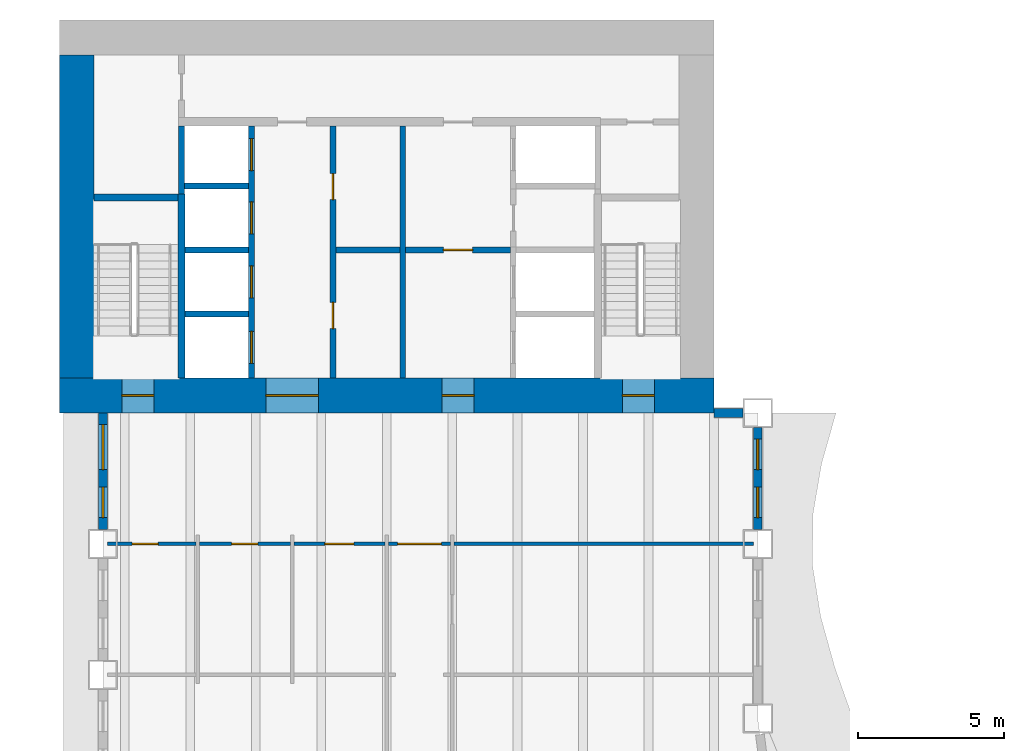
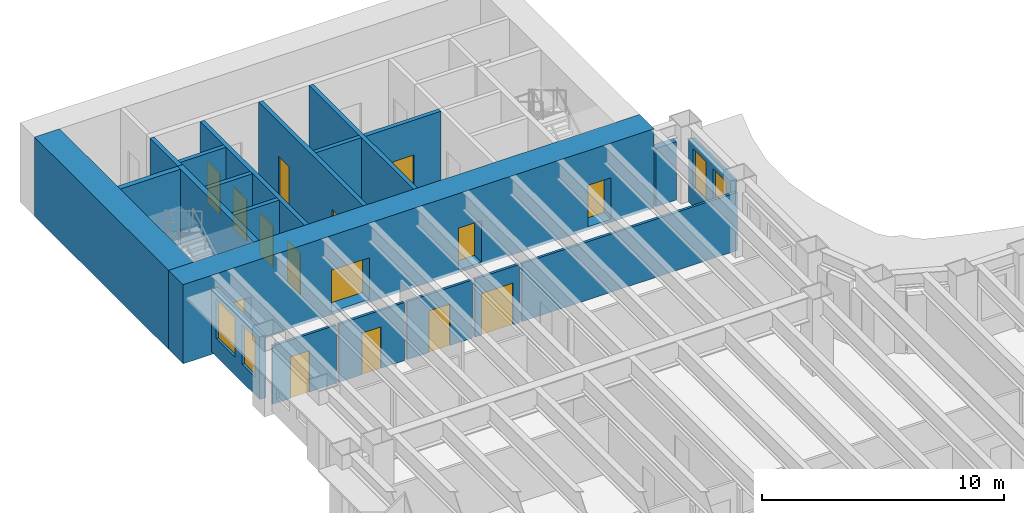
# One storey, part 8 of 16: 21 walls, 15 doors, 4 windows, 19 openings.
"""IFC4 building model written with IfcOpenShell, lengths in metres."""

from ifc_helpers import new_model, si_unit, direction, frame, frame_2d, origin, place, context, subcontext, project, spatial, rectangle, extrude, material, layer, layer_set, type_object, element, fill, save


model = new_model("IFC4")

# Units and contexts
model_context = context("Model", 3, precision=1e-05, world=origin(), true_north=direction((0.0, 1.0)))
body_context = subcontext(model_context, "Body", "Model", "MODEL_VIEW")
ifc_project = project(units=[si_unit("LENGTHUNIT", "METRE"), si_unit("AREAUNIT", "SQUARE_METRE"), si_unit("VOLUMEUNIT", "CUBIC_METRE"), si_unit("PLANEANGLEUNIT", "RADIAN"), si_unit("MASSUNIT", "GRAM", prefix="KILO")], contexts=[model_context])

# Site, building, storey
site_placement = place(None, origin())
site = spatial("IfcSite", under=ifc_project, at=site_placement, CompositionType="ELEMENT")
building_placement = place(site_placement, origin())
building = spatial("IfcBuilding", under=site, at=building_placement, Name="Sennacour Bend Tower", CompositionType="ELEMENT")
storey_placement = place(building_placement, frame((0.0, 0.0, 87.0)))
storey = spatial("IfcBuildingStorey", under=building, at=storey_placement, Name="L19", CompositionType="ELEMENT", Elevation=87.0)

# Wall, openings, doors
ifc_material_1 = material(Name="Concrete C80/95", Category="concrete")
ifc_layer_1 = layer(ifc_material_1, 1.199951171875, Name="Concrete C80/95", Category="concrete")
ifc_layer_set_1 = layer_set([ifc_layer_1], Name="Concrete C80/95")
wall_type_1 = type_object("IfcWallType", Name="Core wall 1200 C80/95", PredefinedType="SHEAR", material=ifc_layer_set_1)
wall_1_placement = place(storey_placement, frame((0.0, 36.60009765625, -0.14990234375), z_axis=(0.0, 0.0, 1.0), x_axis=(1.0, 0.0, 0.0)))
wall_1 = element("IfcWall", 1, at=wall_1_placement, inside=storey, type_object=wall_type_1, Name="Core B wall L19 S", PredefinedType="SHEAR", context=body_context, shape_type="SweptSolid", body=[
    extrude(rectangle(XDim=22.5, YDim=1.199951171875, at=frame_2d((11.25, 0.0))), origin(), (0.0, 0.0, 1.0), 4.0),
])
opening_1_placement = place(wall_1_placement, frame((7.10009765625, 0.0, 0.14990234375)))
opening_1 = element("IfcOpeningElement", 2, at=opening_1_placement, cuts=wall_1, Name="Opening CD", PredefinedType="OPENING", context=body_context, shape_type="SweptSolid", body=[
    extrude(rectangle(XDim=1.800048828125, YDim=2.10009765625, at=frame_2d((0.89990234375, 1.050048828125))), frame((0.0, 0.60986328125, 0.0), z_axis=(0.0, -1.0, 0.0), x_axis=(1.0, 0.0, 0.0)), (0.0, 0.0, 1.0), 1.219970703125),
])
opening_2_placement = place(wall_1_placement, frame((13.14990234375, 0.0, 0.14990234375)))
opening_2 = element("IfcOpeningElement", 3, at=opening_2_placement, cuts=wall_1, Name="Opening FD", PredefinedType="OPENING", context=body_context, shape_type="SweptSolid", body=[
    extrude(rectangle(XDim=1.10009765625, YDim=2.10009765625, at=frame_2d((0.550048828125, 1.050048828125))), frame((0.0, 0.60986328125, 0.0), z_axis=(0.0, -1.0, 0.0), x_axis=(1.0, 0.0, 0.0)), (0.0, 0.0, 1.0), 1.219970703125),
])
opening_3_placement = place(wall_1_placement, frame((2.14990234375, 0.0, 0.14990234375)))
opening_3 = element("IfcOpeningElement", 4, at=opening_3_placement, cuts=wall_1, Name="Opening SD", PredefinedType="OPENING", context=body_context, shape_type="SweptSolid", body=[
    extrude(rectangle(XDim=1.10009765625, YDim=2.10009765625, at=frame_2d((0.550048828125, 1.050048828125))), frame((0.0, 0.60986328125, 0.0), z_axis=(0.0, -1.0, 0.0), x_axis=(1.0, 0.0, 0.0)), (0.0, 0.0, 1.0), 1.219970703125),
])
opening_4_placement = place(wall_1_placement, frame((19.35009765625, 0.0, 0.14990234375)))
opening_4 = element("IfcOpeningElement", 5, at=opening_4_placement, cuts=wall_1, Name="Opening SD", PredefinedType="OPENING", context=body_context, shape_type="SweptSolid", body=[
    extrude(rectangle(XDim=1.10009765625, YDim=2.10009765625, at=frame_2d((0.550048828125, 1.050048828125))), frame((0.0, 0.60986328125, 0.0), z_axis=(0.0, -1.0, 0.0), x_axis=(1.0, 0.0, 0.0)), (0.0, 0.0, 1.0), 1.219970703125),
])
ifc_material_2 = material(Name="Painted steel", Category="steel")
door_type_1 = type_object("IfcDoorType", Name="DR-FFL-1100", OperationType="NOTDEFINED", PredefinedType="DOOR", material=ifc_material_2)
door_1_placement = place(opening_2_placement, origin())
door_1 = element("IfcDoor", 6, at=door_1_placement, inside=storey, type_object=door_type_1, Name="Door", OperationType="SINGLE_SWING_RIGHT", OverallHeight=2.10009765625, OverallWidth=1.10009765625, PredefinedType="DOOR", context=body_context, shape_type="SweptSolid", body=[
    extrude(rectangle(XDim=1.10009765625, YDim=2.10009765625, at=frame_2d((0.550048828125, 1.050048828125))), frame((0.0, 0.02490234375, 0.0), z_axis=(0.0, -1.0, 0.0), x_axis=(1.0, 0.0, 0.0)), (0.0, 0.0, 1.0), 0.050048828125),
])
fill(opening_2, door_1)
door_type_2 = type_object("IfcDoorType", Name="DR-LOBBY-1800", OperationType="NOTDEFINED", PredefinedType="DOOR", material=ifc_material_2)
door_2_placement = place(opening_1_placement, origin())
door_2 = element("IfcDoor", 7, at=door_2_placement, inside=storey, type_object=door_type_2, Name="Door", OperationType="DOUBLE_DOOR_SINGLE_SWING", OverallHeight=2.10009765625, OverallWidth=1.800048828125, PredefinedType="DOOR", context=body_context, shape_type="SweptSolid", body=[
    extrude(rectangle(XDim=1.800048828125, YDim=2.10009765625, at=frame_2d((0.89990234375, 1.050048828125))), frame((0.0, 0.02490234375, 0.0), z_axis=(0.0, -1.0, 0.0), x_axis=(1.0, 0.0, 0.0)), (0.0, 0.0, 1.0), 0.050048828125),
])
fill(opening_1, door_2)
door_type_3 = type_object("IfcDoorType", Name="DR-STAIR-1100", OperationType="NOTDEFINED", PredefinedType="DOOR", material=ifc_material_2)
door_3_placement = place(opening_3_placement, origin())
door_3 = element("IfcDoor", 8, at=door_3_placement, inside=storey, type_object=door_type_3, Name="Door", OperationType="SINGLE_SWING_LEFT", OverallHeight=2.10009765625, OverallWidth=1.10009765625, PredefinedType="DOOR", context=body_context, shape_type="SweptSolid", body=[
    extrude(rectangle(XDim=1.10009765625, YDim=2.10009765625, at=frame_2d((0.550048828125, 1.050048828125))), frame((0.0, 0.02490234375, 0.0), z_axis=(0.0, -1.0, 0.0), x_axis=(1.0, 0.0, 0.0)), (0.0, 0.0, 1.0), 0.050048828125),
])
fill(opening_3, door_3)
door_4_placement = place(opening_4_placement, origin())
door_4 = element("IfcDoor", 9, at=door_4_placement, inside=storey, type_object=door_type_3, Name="Door", OperationType="SINGLE_SWING_RIGHT", OverallHeight=2.10009765625, OverallWidth=1.10009765625, PredefinedType="DOOR", context=body_context, shape_type="SweptSolid", body=[
    extrude(rectangle(XDim=1.10009765625, YDim=2.10009765625, at=frame_2d((0.550048828125, 1.050048828125))), frame((0.0, 0.02490234375, 0.0), z_axis=(0.0, -1.0, 0.0), x_axis=(1.0, 0.0, 0.0)), (0.0, 0.0, 1.0), 0.050048828125),
])
fill(opening_4, door_4)

# Wall
wall_2_placement = place(storey_placement, frame((0.60009765625, 37.199951171875, -0.14990234375), z_axis=(0.0, 0.0, 1.0), x_axis=(0.0, 1.0, 0.0)))
element("IfcWall", 10, at=wall_2_placement, inside=storey, type_object=wall_type_1, Name="Core B wall L19 W", PredefinedType="SHEAR", context=body_context, shape_type="SweptSolid", body=[
    extrude(rectangle(XDim=11.10009765625, YDim=1.199951171875, at=frame_2d((5.550048828125, 0.0))), origin(), (0.0, 0.0, 1.0), 4.0),
])

# Wall, opening, door
ifc_material_3 = material(Name="Plasterboard partition on steel studs", Category="steel")
ifc_layer_2 = layer(ifc_material_3, 0.1201171875, Name="Plasterboard partition on steel studs", Category="steel")
ifc_layer_set_2 = layer_set([ifc_layer_2], Name="Plasterboard partition on steel studs")
wall_type_2 = type_object("IfcWallType", Name="Partition 120", PredefinedType="PARTITIONING", material=ifc_layer_set_2)
wall_3_placement = place(storey_placement, frame((1.64990234375, 31.5, 0.0), z_axis=(0.0, 0.0, 1.0), x_axis=(1.0, 0.0, 0.0)))
wall_3 = element("IfcWall", 11, at=wall_3_placement, inside=storey, type_object=wall_type_2, Name="P-L19-W072aa", PredefinedType="PARTITIONING", context=body_context, shape_type="SweptSolid", body=[
    extrude(rectangle(XDim=3.0400390625, YDim=0.1201171875, at=frame_2d((1.52001953125, 0.0))), origin(), (0.0, 0.0, 1.0), 2.93798828125),
])
opening_5_placement = place(wall_3_placement, frame((0.85009765625, 0.0, 0.0)))
opening_5 = element("IfcOpeningElement", 12, at=opening_5_placement, cuts=wall_3, Name="Opening WD", PredefinedType="OPENING", context=body_context, shape_type="SweptSolid", body=[
    extrude(rectangle(XDim=0.89990234375, YDim=2.10009765625, at=frame_2d((0.449951171875, 1.050048828125))), frame((0.0, 0.070068359375, 0.0), z_axis=(0.0, -1.0, 0.0), x_axis=(1.0, 0.0, 0.0)), (0.0, 0.0, 1.0), 0.14013671875),
])
ifc_material_4 = material(Name="Timber", Category="wood")
door_type_4 = type_object("IfcDoorType", Name="DR-WC-900", OperationType="NOTDEFINED", PredefinedType="DOOR", material=ifc_material_4)
door_5_placement = place(opening_5_placement, origin())
door_5 = element("IfcDoor", 13, at=door_5_placement, inside=storey, type_object=door_type_4, Name="Door", OperationType="SINGLE_SWING_LEFT", OverallHeight=2.10009765625, OverallWidth=0.89990234375, PredefinedType="DOOR", context=body_context, shape_type="SweptSolid", body=[
    extrude(rectangle(XDim=0.89990234375, YDim=2.10009765625, at=frame_2d((0.449951171875, 1.050048828125))), frame((0.0, 0.02490234375, 0.0), z_axis=(0.0, -1.0, 0.0), x_axis=(1.0, 0.0, 0.0)), (0.0, 0.0, 1.0), 0.050048828125),
])
fill(opening_5, door_5)

wall_4_placement = place(storey_placement, frame((4.81005859375, 31.5, 0.0), z_axis=(0.0, 0.0, 1.0), x_axis=(1.0, 0.0, 0.0)))
wall_4 = element("IfcWall", 14, at=wall_4_placement, inside=storey, type_object=wall_type_2, Name="P-L19-W072ab", PredefinedType="PARTITIONING", context=body_context, shape_type="SweptSolid", body=[
    extrude(rectangle(XDim=3.1298828125, YDim=0.1201171875, at=frame_2d((1.56494140625, 0.0))), origin(), (0.0, 0.0, 1.0), 2.93798828125),
])
opening_6_placement = place(wall_4_placement, frame((1.114990234375, 0.0, 0.0)))
opening_6 = element("IfcOpeningElement", 15, at=opening_6_placement, cuts=wall_4, Name="Opening WD", PredefinedType="OPENING", context=body_context, shape_type="SweptSolid", body=[
    extrude(rectangle(XDim=0.89990234375, YDim=2.10009765625, at=frame_2d((0.449951171875, 1.050048828125))), frame((0.0, 0.070068359375, 0.0), z_axis=(0.0, -1.0, 0.0), x_axis=(1.0, 0.0, 0.0)), (0.0, 0.0, 1.0), 0.14013671875),
])
door_6_placement = place(opening_6_placement, origin())
door_6 = element("IfcDoor", 16, at=door_6_placement, inside=storey, type_object=door_type_4, Name="Door", OperationType="SINGLE_SWING_LEFT", OverallHeight=2.10009765625, OverallWidth=0.89990234375, PredefinedType="DOOR", context=body_context, shape_type="SweptSolid", body=[
    extrude(rectangle(XDim=0.89990234375, YDim=2.10009765625, at=frame_2d((0.449951171875, 1.050048828125))), frame((0.0, 0.02490234375, 0.0), z_axis=(0.0, -1.0, 0.0), x_axis=(1.0, 0.0, 0.0)), (0.0, 0.0, 1.0), 0.050048828125),
])
fill(opening_6, door_6)

wall_5_placement = place(storey_placement, frame((8.06005859375, 31.5, 0.0), z_axis=(0.0, 0.0, 1.0), x_axis=(1.0, 0.0, 0.0)))
wall_5 = element("IfcWall", 17, at=wall_5_placement, inside=storey, type_object=wall_type_2, Name="P-L19-W072ac", PredefinedType="PARTITIONING", context=body_context, shape_type="SweptSolid", body=[
    extrude(rectangle(XDim=3.1298828125, YDim=0.1201171875, at=frame_2d((1.56494140625, 0.0))), origin(), (0.0, 0.0, 1.0), 2.93798828125),
])
opening_7_placement = place(wall_5_placement, frame((1.06494140625, 0.0, 0.0)))
opening_7 = element("IfcOpeningElement", 18, at=opening_7_placement, cuts=wall_5, Name="Opening AD", PredefinedType="OPENING", context=body_context, shape_type="SweptSolid", body=[
    extrude(rectangle(XDim=1.0, YDim=2.10009765625, at=frame_2d((0.5, 1.050048828125))), frame((0.0, 0.070068359375, 0.0), z_axis=(0.0, -1.0, 0.0), x_axis=(1.0, 0.0, 0.0)), (0.0, 0.0, 1.0), 0.14013671875),
])
door_type_5 = type_object("IfcDoorType", Name="DR-ACC-WC-1000", OperationType="NOTDEFINED", PredefinedType="DOOR", material=ifc_material_4)
door_7_placement = place(opening_7_placement, origin())
door_7 = element("IfcDoor", 19, at=door_7_placement, inside=storey, type_object=door_type_5, Name="Door", OperationType="SINGLE_SWING_LEFT", OverallHeight=2.10009765625, OverallWidth=1.0, PredefinedType="DOOR", context=body_context, shape_type="SweptSolid", body=[
    extrude(rectangle(XDim=1.0, YDim=2.10009765625, at=frame_2d((0.5, 1.050048828125))), frame((0.0, 0.02490234375, 0.0), z_axis=(0.0, -1.0, 0.0), x_axis=(1.0, 0.0, 0.0)), (0.0, 0.0, 1.0), 0.050048828125),
])
fill(opening_7, door_7)

# Wall
wall_6_placement = place(storey_placement, frame((13.56005859375, 31.5, 0.0), z_axis=(0.0, 0.0, 1.0), x_axis=(1.0, 0.0, 0.0)))
element("IfcWall", 20, at=wall_6_placement, inside=storey, type_object=wall_type_2, Name="P-L19-W072ae", PredefinedType="PARTITIONING", context=body_context, shape_type="SweptSolid", body=[
    extrude(rectangle(XDim=10.2900390625, YDim=0.1201171875, at=frame_2d((5.14501953125, 0.0))), origin(), (0.0, 0.0, 1.0), 2.93798828125),
])

# Wall, opening, door
ifc_layer_3 = layer(ifc_material_3, 0.1201171875, Name="Plasterboard partition on steel studs", Category="steel")
ifc_layer_set_3 = layer_set([ifc_layer_3], Name="Plasterboard partition on steel studs")
wall_type_3 = type_object("IfcWallType", Name="Partition 120 EI 30", PredefinedType="PARTITIONING", material=ifc_layer_set_3)
wall_7_placement = place(storey_placement, frame((11.31005859375, 31.5, 0.0), z_axis=(0.0, 0.0, 1.0), x_axis=(1.0, 0.0, 0.0)))
wall_7 = element("IfcWall", 21, at=wall_7_placement, inside=storey, type_object=wall_type_3, Name="P-L19-W072ad", PredefinedType="PARTITIONING", context=body_context, shape_type="SweptSolid", body=[
    extrude(rectangle(XDim=2.1298828125, YDim=0.1201171875, at=frame_2d((1.06494140625, 0.0))), origin(), (0.0, 0.0, 1.0), 2.93798828125),
])
opening_8_placement = place(wall_7_placement, frame((0.31494140625, 0.0, 0.0)))
opening_8 = element("IfcOpeningElement", 22, at=opening_8_placement, cuts=wall_7, Name="Opening KD", PredefinedType="OPENING", context=body_context, shape_type="SweptSolid", body=[
    extrude(rectangle(XDim=1.5, YDim=2.10009765625, at=frame_2d((0.75, 1.050048828125))), frame((0.0, 0.070068359375, 0.0), z_axis=(0.0, -1.0, 0.0), x_axis=(1.0, 0.0, 0.0)), (0.0, 0.0, 1.0), 0.14013671875),
])
door_type_6 = type_object("IfcDoorType", Name="DR-CORRIDOR-1500", OperationType="NOTDEFINED", PredefinedType="DOOR", material=ifc_material_2)
door_8_placement = place(opening_8_placement, origin())
door_8 = element("IfcDoor", 23, at=door_8_placement, inside=storey, type_object=door_type_6, Name="Door", OperationType="SINGLE_SWING_LEFT", OverallHeight=2.10009765625, OverallWidth=1.5, PredefinedType="DOOR", context=body_context, shape_type="SweptSolid", body=[
    extrude(rectangle(XDim=1.5, YDim=2.10009765625, at=frame_2d((0.75, 1.050048828125))), frame((0.0, 0.02490234375, 0.0), z_axis=(0.0, -1.0, 0.0), x_axis=(1.0, 0.0, 0.0)), (0.0, 0.0, 1.0), 0.050048828125),
])
fill(opening_8, door_8)

# Wall, openings, doors
ifc_material_5 = material(Name="Fire-rated plasterboard partition on steel studs", Category="steel")
ifc_layer_4 = layer(ifc_material_5, 0.199951171875, Name="Fire-rated plasterboard partition on steel studs", Category="steel")
ifc_layer_set_4 = layer_set([ifc_layer_4], Name="Fire-rated plasterboard partition on steel studs")
wall_type_4 = type_object("IfcWallType", Name="Rated partition 200", PredefinedType="PARTITIONING", material=ifc_layer_set_4)
wall_8_placement = place(storey_placement, frame((9.39990234375, 37.199951171875, 0.0), z_axis=(0.0, 0.0, 1.0), x_axis=(0.0, 1.0, 0.0)))
wall_8 = element("IfcWall", 24, at=wall_8_placement, inside=storey, type_object=wall_type_4, Name="P-L19-W013", PredefinedType="PARTITIONING", context=body_context, shape_type="SweptSolid", body=[
    extrude(rectangle(XDim=8.650146484375, YDim=0.199951171875, at=frame_2d((4.3251953125, 0.0))), origin(), (0.0, 0.0, 1.0), 3.85009765625),
])
opening_9_placement = place(wall_8_placement, frame((1.699951171875, 0.0, 0.0)))
opening_9 = element("IfcOpeningElement", 25, at=opening_9_placement, cuts=wall_8, Name="Opening SV", PredefinedType="OPENING", context=body_context, shape_type="SweptSolid", body=[
    extrude(rectangle(XDim=0.89990234375, YDim=2.10009765625, at=frame_2d((0.449951171875, 1.050048828125))), frame((0.0, 0.10986328125, 0.0), z_axis=(0.0, -1.0, 0.0), x_axis=(1.0, 0.0, 0.0)), (0.0, 0.0, 1.0), 0.219970703125),
])
opening_10_placement = place(wall_8_placement, frame((6.125, 0.0, 0.0)))
opening_10 = element("IfcOpeningElement", 26, at=opening_10_placement, cuts=wall_8, Name="Opening SV", PredefinedType="OPENING", context=body_context, shape_type="SweptSolid", body=[
    extrude(rectangle(XDim=0.89990234375, YDim=2.10009765625, at=frame_2d((0.449951171875, 1.050048828125))), frame((0.0, 0.10986328125, 0.0), z_axis=(0.0, -1.0, 0.0), x_axis=(1.0, 0.0, 0.0)), (0.0, 0.0, 1.0), 0.219970703125),
])
door_type_7 = type_object("IfcDoorType", Name="DR-SERVICE-900", OperationType="NOTDEFINED", PredefinedType="DOOR", material=ifc_material_2)
door_9_placement = place(opening_9_placement, origin())
door_9 = element("IfcDoor", 27, at=door_9_placement, inside=storey, type_object=door_type_7, Name="Door", OperationType="SINGLE_SWING_LEFT", OverallHeight=2.10009765625, OverallWidth=0.89990234375, PredefinedType="DOOR", context=body_context, shape_type="SweptSolid", body=[
    extrude(rectangle(XDim=0.89990234375, YDim=2.10009765625, at=frame_2d((0.449951171875, 1.050048828125))), frame((0.0, 0.02490234375, 0.0), z_axis=(0.0, -1.0, 0.0), x_axis=(1.0, 0.0, 0.0)), (0.0, 0.0, 1.0), 0.050048828125),
])
fill(opening_9, door_9)
door_10_placement = place(opening_10_placement, origin())
door_10 = element("IfcDoor", 28, at=door_10_placement, inside=storey, type_object=door_type_7, Name="Door", OperationType="SINGLE_SWING_RIGHT", OverallHeight=2.10009765625, OverallWidth=0.89990234375, PredefinedType="DOOR", context=body_context, shape_type="SweptSolid", body=[
    extrude(rectangle(XDim=0.89990234375, YDim=2.10009765625, at=frame_2d((0.449951171875, 1.050048828125))), frame((0.0, 0.02490234375, 0.0), z_axis=(0.0, -1.0, 0.0), x_axis=(1.0, 0.0, 0.0)), (0.0, 0.0, 1.0), 0.050048828125),
])
fill(opening_10, door_10)

# Walls
wall_9_placement = place(storey_placement, frame((11.800048828125, 37.199951171875, 0.0), z_axis=(0.0, 0.0, 1.0), x_axis=(0.0, 1.0, 0.0)))
element("IfcWall", 29, at=wall_9_placement, inside=storey, type_object=wall_type_4, Name="P-L19-W015", PredefinedType="PARTITIONING", context=body_context, shape_type="SweptSolid", body=[
    extrude(rectangle(XDim=8.650146484375, YDim=0.199951171875, at=frame_2d((4.3251953125, 0.0))), origin(), (0.0, 0.0, 1.0), 3.85009765625),
])
wall_10_placement = place(storey_placement, frame((9.5, 41.60009765625, 0.0), z_axis=(0.0, 0.0, 1.0), x_axis=(1.0, 0.0, 0.0)))
element("IfcWall", 30, at=wall_10_placement, inside=storey, type_object=wall_type_4, Name="P-L19-W077a", PredefinedType="PARTITIONING", context=body_context, shape_type="SweptSolid", body=[
    extrude(rectangle(XDim=2.199951171875, YDim=0.199951171875, at=frame_2d((1.10009765625, 0.0))), origin(), (0.0, 0.0, 1.0), 3.85009765625),
])

# Wall, opening, door
ifc_layer_5 = layer(ifc_material_5, 0.199951171875, Name="Fire-rated plasterboard partition on steel studs", Category="steel")
ifc_layer_set_5 = layer_set([ifc_layer_5], Name="Fire-rated plasterboard partition on steel studs")
wall_type_5 = type_object("IfcWallType", Name="Rated partition 200 EI 90", PredefinedType="PARTITIONING", material=ifc_layer_set_5)
wall_11_placement = place(storey_placement, frame((11.89990234375, 41.60009765625, 0.0), z_axis=(0.0, 0.0, 1.0), x_axis=(1.0, 0.0, 0.0)))
wall_11 = element("IfcWall", 31, at=wall_11_placement, inside=storey, type_object=wall_type_5, Name="P-L19-W077b", PredefinedType="PARTITIONING", context=body_context, shape_type="SweptSolid", body=[
    extrude(rectangle(XDim=3.60009765625, YDim=0.199951171875, at=frame_2d((1.800048828125, 0.0))), origin(), (0.0, 0.0, 1.0), 3.85009765625),
])
opening_11_placement = place(wall_11_placement, frame((1.300048828125, 0.0, 0.0)))
opening_11 = element("IfcOpeningElement", 32, at=opening_11_placement, cuts=wall_11, Name="Opening FD2", PredefinedType="OPENING", context=body_context, shape_type="SweptSolid", body=[
    extrude(rectangle(XDim=1.0, YDim=2.10009765625, at=frame_2d((0.5, 1.050048828125))), frame((0.0, 0.10986328125, 0.0), z_axis=(0.0, -1.0, 0.0), x_axis=(1.0, 0.0, 0.0)), (0.0, 0.0, 1.0), 0.219970703125),
])
door_type_8 = type_object("IfcDoorType", Name="DR-FFL-1000", OperationType="NOTDEFINED", PredefinedType="DOOR", material=ifc_material_2)
door_11_placement = place(opening_11_placement, origin())
door_11 = element("IfcDoor", 33, at=door_11_placement, inside=storey, type_object=door_type_8, Name="Door", OperationType="SINGLE_SWING_RIGHT", OverallHeight=2.10009765625, OverallWidth=1.0, PredefinedType="DOOR", context=body_context, shape_type="SweptSolid", body=[
    extrude(rectangle(XDim=1.0, YDim=2.10009765625, at=frame_2d((0.5, 1.050048828125))), frame((0.0, 0.02490234375, 0.0), z_axis=(0.0, -1.0, 0.0), x_axis=(1.0, 0.0, 0.0)), (0.0, 0.0, 1.0), 0.050048828125),
])
fill(opening_11, door_11)

# Wall, openings, windows
ifc_material_6 = material(Name="Warm limestone cladding", Category="masonry")
ifc_layer_6 = layer(ifc_material_6, 0.050048828125, Name="Warm limestone cladding", Category="masonry")
ifc_material_7 = material(Name="Precast concrete C40/50", Category="concrete")
ifc_layer_7 = layer(ifc_material_7, 0.25, Name="Precast concrete C40/50", Category="concrete")
ifc_layer_set_6 = layer_set([ifc_layer_6, ifc_layer_7], Name="Precast concrete C40/50 with limestone cladding")
wall_type_6 = type_object("IfcWallType", Name="STONE-CLAD PRECAST SPANDREL 300", PredefinedType="STANDARD", material=ifc_layer_set_6)
wall_12_placement = place(storey_placement, frame((24.0, 32.0, 0.0), z_axis=(0.0, 0.0, 1.0), x_axis=(0.0, 1.0, 0.0)))
wall_12 = element("IfcWall", 34, at=wall_12_placement, inside=storey, type_object=wall_type_6, Name="Stone spandrel and pier wall L19 13.01", PredefinedType="STANDARD", context=body_context, shape_type="SweptSolid", body=[
    extrude(rectangle(XDim=3.5, YDim=0.300048828125, at=frame_2d((1.75, 0.0))), origin(), (0.0, 0.0, 1.0), 3.154052734375),
])
opening_12_placement = place(wall_12_placement, frame((0.39990234375, 0.0, 0.89990234375)))
opening_12 = element("IfcOpeningElement", 35, at=opening_12_placement, cuts=wall_12, Name="Opening W13", PredefinedType="OPENING", context=body_context, shape_type="SweptSolid", body=[
    extrude(rectangle(XDim=1.050048828125, YDim=2.0, at=frame_2d((0.52490234375, 1.0))), frame((0.0, 0.16015625, 0.0), z_axis=(0.0, -1.0, 0.0), x_axis=(1.0, 0.0, 0.0)), (0.0, 0.0, 1.0), 0.320068359375),
])
opening_13_placement = place(wall_12_placement, frame((2.050048828125, 0.0, 0.89990234375)))
opening_13 = element("IfcOpeningElement", 36, at=opening_13_placement, cuts=wall_12, Name="Opening W13", PredefinedType="OPENING", context=body_context, shape_type="SweptSolid", body=[
    extrude(rectangle(XDim=1.050048828125, YDim=2.0, at=frame_2d((0.52490234375, 1.0))), frame((0.0, 0.16015625, 0.0), z_axis=(0.0, -1.0, 0.0), x_axis=(1.0, 0.0, 0.0)), (0.0, 0.0, 1.0), 0.320068359375),
])
ifc_material_8 = material(Name="Clear low-emissivity glass", Category="glass")
window_type_1 = type_object("IfcWindowType", Name="WIN-RIBBON-1050x2000", PartitioningType="SINGLE_PANEL", PredefinedType="WINDOW", material=ifc_material_8)
window_1_placement = place(opening_12_placement, origin())
window_1 = element("IfcWindow", 37, at=window_1_placement, inside=storey, type_object=window_type_1, Name="Ribbon window L19 13.01.0", OverallHeight=2.0, OverallWidth=1.050048828125, PartitioningType="SINGLE_PANEL", PredefinedType="WINDOW", context=body_context, shape_type="SweptSolid", body=[
    extrude(rectangle(XDim=1.050048828125, YDim=2.0, at=frame_2d((0.52490234375, 1.0))), frame((0.0, 0.030029296875, 0.0), z_axis=(0.0, -1.0, 0.0), x_axis=(1.0, 0.0, 0.0)), (0.0, 0.0, 1.0), 0.06005859375),
])
fill(opening_12, window_1)
window_2_placement = place(opening_13_placement, origin())
window_2 = element("IfcWindow", 38, at=window_2_placement, inside=storey, type_object=window_type_1, Name="Ribbon window L19 13.01.1", OverallHeight=2.0, OverallWidth=1.050048828125, PartitioningType="SINGLE_PANEL", PredefinedType="WINDOW", context=body_context, shape_type="SweptSolid", body=[
    extrude(rectangle(XDim=1.050048828125, YDim=2.0, at=frame_2d((0.52490234375, 1.0))), frame((0.0, 0.030029296875, 0.0), z_axis=(0.0, -1.0, 0.0), x_axis=(1.0, 0.0, 0.0)), (0.0, 0.0, 1.0), 0.06005859375),
])
fill(opening_13, window_2)

# Wall
wall_13_placement = place(storey_placement, frame((23.5, 36.0, 0.0), z_axis=(0.0, 0.0, 1.0), x_axis=(-1.0, 0.0, 0.0)))
element("IfcWall", 39, at=wall_13_placement, inside=storey, type_object=wall_type_6, Name="Stone spandrel and pier wall L19 14.00", PredefinedType="STANDARD", context=body_context, shape_type="SweptSolid", body=[
    extrude(rectangle(XDim=1.0, YDim=0.300048828125, at=frame_2d((0.5, 0.0))), origin(), (0.0, 0.0, 1.0), 2.93798828125),
])

# Wall, openings, windows
wall_14_placement = place(storey_placement, frame((1.5, 36.0, 0.0), z_axis=(0.0, 0.0, 1.0), x_axis=(0.0, -1.0, 0.0)))
wall_14 = element("IfcWall", 40, at=wall_14_placement, inside=storey, type_object=wall_type_6, Name="Stone spandrel and pier wall L19 19.00", PredefinedType="STANDARD", context=body_context, shape_type="SweptSolid", body=[
    extrude(rectangle(XDim=4.0, YDim=0.300048828125, at=frame_2d((2.0, 0.0))), origin(), (0.0, 0.0, 1.0), 3.154052734375),
])
opening_14_placement = place(wall_14_placement, frame((0.39990234375, 0.0, 0.89990234375)))
opening_14 = element("IfcOpeningElement", 41, at=opening_14_placement, cuts=wall_14, Name="Opening W9", PredefinedType="OPENING", context=body_context, shape_type="SweptSolid", body=[
    extrude(rectangle(XDim=1.550048828125, YDim=2.0, at=frame_2d((0.77490234375, 1.0))), frame((0.0, 0.16015625, 0.0), z_axis=(0.0, -1.0, 0.0), x_axis=(1.0, 0.0, 0.0)), (0.0, 0.0, 1.0), 0.320068359375),
])
opening_15_placement = place(wall_14_placement, frame((2.550048828125, 0.0, 0.89990234375)))
opening_15 = element("IfcOpeningElement", 42, at=opening_15_placement, cuts=wall_14, Name="Opening W13", PredefinedType="OPENING", context=body_context, shape_type="SweptSolid", body=[
    extrude(rectangle(XDim=1.050048828125, YDim=2.0, at=frame_2d((0.52490234375, 1.0))), frame((0.0, 0.16015625, 0.0), z_axis=(0.0, -1.0, 0.0), x_axis=(1.0, 0.0, 0.0)), (0.0, 0.0, 1.0), 0.320068359375),
])
window_3_placement = place(opening_15_placement, origin())
window_3 = element("IfcWindow", 43, at=window_3_placement, inside=storey, type_object=window_type_1, Name="Ribbon window L19 19.00.1", OverallHeight=2.0, OverallWidth=1.050048828125, PartitioningType="SINGLE_PANEL", PredefinedType="WINDOW", context=body_context, shape_type="SweptSolid", body=[
    extrude(rectangle(XDim=1.050048828125, YDim=2.0, at=frame_2d((0.52490234375, 1.0))), frame((0.0, 0.030029296875, 0.0), z_axis=(0.0, -1.0, 0.0), x_axis=(1.0, 0.0, 0.0)), (0.0, 0.0, 1.0), 0.06005859375),
])
fill(opening_15, window_3)
window_type_2 = type_object("IfcWindowType", Name="WIN-RIBBON-1550x2000", PartitioningType="SINGLE_PANEL", PredefinedType="WINDOW", material=ifc_material_8)
window_4_placement = place(opening_14_placement, origin())
window_4 = element("IfcWindow", 44, at=window_4_placement, inside=storey, type_object=window_type_2, Name="Ribbon window L19 19.00.0", OverallHeight=2.0, OverallWidth=1.550048828125, PartitioningType="SINGLE_PANEL", PredefinedType="WINDOW", context=body_context, shape_type="SweptSolid", body=[
    extrude(rectangle(XDim=1.550048828125, YDim=2.0, at=frame_2d((0.77490234375, 1.0))), frame((0.0, 0.030029296875, 0.0), z_axis=(0.0, -1.0, 0.0), x_axis=(1.0, 0.0, 0.0)), (0.0, 0.0, 1.0), 0.06005859375),
])
fill(opening_14, window_4)

# Wall
ifc_material_9 = material(Name="Concrete C50/60", Category="concrete")
ifc_layer_8 = layer(ifc_material_9, 0.199951171875, Name="Concrete C50/60", Category="concrete")
ifc_layer_set_7 = layer_set([ifc_layer_8], Name="Concrete C50/60")
wall_type_7 = type_object("IfcWallType", Name="Shaft wall 200", PredefinedType="SOLIDWALL", material=ifc_layer_set_7)
wall_15_placement = place(storey_placement, frame((4.199951171875, 43.52490234375, 0.0), z_axis=(0.0, 0.0, 1.0), x_axis=(0.0, 1.0, 0.0)))
element("IfcWall", 45, at=wall_15_placement, inside=storey, type_object=wall_type_7, Name="P-L19-W005", PredefinedType="SOLIDWALL", context=body_context, shape_type="SweptSolid", body=[
    extrude(rectangle(XDim=2.3251953125, YDim=0.199951171875, at=frame_2d((1.16259765625, 0.0))), origin(), (0.0, 0.0, 1.0), 3.85009765625),
])

# Wall, openings, doors
wall_16_placement = place(storey_placement, frame((6.60009765625, 37.199951171875, 0.0), z_axis=(0.0, 0.0, 1.0), x_axis=(0.0, 1.0, 0.0)))
wall_16 = element("IfcWall", 46, at=wall_16_placement, inside=storey, type_object=wall_type_7, Name="P-L19-W008", PredefinedType="SOLIDWALL", context=body_context, shape_type="SweptSolid", body=[
    extrude(rectangle(XDim=8.650146484375, YDim=0.199951171875, at=frame_2d((4.3251953125, 0.0))), origin(), (0.0, 0.0, 1.0), 3.85009765625),
])
opening_16_placement = place(wall_16_placement, frame((0.5, 0.0, 0.011962890625)))
opening_16 = element("IfcOpeningElement", 47, at=opening_16_placement, cuts=wall_16, Name="Opening LD", PredefinedType="OPENING", context=body_context, shape_type="SweptSolid", body=[
    extrude(rectangle(XDim=1.10009765625, YDim=2.10009765625, at=frame_2d((0.550048828125, 1.050048828125))), frame((0.0, 0.10986328125, 0.0), z_axis=(0.0, -1.0, 0.0), x_axis=(1.0, 0.0, 0.0)), (0.0, 0.0, 1.0), 0.219970703125),
])
opening_17_placement = place(wall_16_placement, frame((2.75, 0.0, 0.011962890625)))
opening_17 = element("IfcOpeningElement", 48, at=opening_17_placement, cuts=wall_16, Name="Opening LD", PredefinedType="OPENING", context=body_context, shape_type="SweptSolid", body=[
    extrude(rectangle(XDim=1.10009765625, YDim=2.10009765625, at=frame_2d((0.550048828125, 1.050048828125))), frame((0.0, 0.10986328125, 0.0), z_axis=(0.0, -1.0, 0.0), x_axis=(1.0, 0.0, 0.0)), (0.0, 0.0, 1.0), 0.219970703125),
])
opening_18_placement = place(wall_16_placement, frame((4.949951171875, 0.0, 0.011962890625)))
opening_18 = element("IfcOpeningElement", 49, at=opening_18_placement, cuts=wall_16, Name="Opening LD", PredefinedType="OPENING", context=body_context, shape_type="SweptSolid", body=[
    extrude(rectangle(XDim=1.10009765625, YDim=2.10009765625, at=frame_2d((0.550048828125, 1.050048828125))), frame((0.0, 0.10986328125, 0.0), z_axis=(0.0, -1.0, 0.0), x_axis=(1.0, 0.0, 0.0)), (0.0, 0.0, 1.0), 0.219970703125),
])
opening_19_placement = place(wall_16_placement, frame((7.125, 0.0, 0.011962890625)))
opening_19 = element("IfcOpeningElement", 50, at=opening_19_placement, cuts=wall_16, Name="Opening LD", PredefinedType="OPENING", context=body_context, shape_type="SweptSolid", body=[
    extrude(rectangle(XDim=1.10009765625, YDim=2.10009765625, at=frame_2d((0.550048828125, 1.050048828125))), frame((0.0, 0.10986328125, 0.0), z_axis=(0.0, -1.0, 0.0), x_axis=(1.0, 0.0, 0.0)), (0.0, 0.0, 1.0), 0.219970703125),
])
ifc_material_10 = material(Name="Stainless steel", Category="steel")
door_type_9 = type_object("IfcDoorType", Name="DR-LANDING-1100", OperationType="NOTDEFINED", PredefinedType="DOOR", material=ifc_material_10)
door_12_placement = place(opening_16_placement, origin())
door_12 = element("IfcDoor", 51, at=door_12_placement, inside=storey, type_object=door_type_9, Name="Lift landing door LB1", OperationType="SLIDING_TO_RIGHT", OverallHeight=2.10009765625, OverallWidth=1.10009765625, PredefinedType="DOOR", context=body_context, shape_type="SweptSolid", body=[
    extrude(rectangle(XDim=1.10009765625, YDim=2.10009765625, at=frame_2d((0.550048828125, 1.050048828125))), frame((0.0, 0.02490234375, 0.0), z_axis=(0.0, -1.0, 0.0), x_axis=(1.0, 0.0, 0.0)), (0.0, 0.0, 1.0), 0.050048828125),
])
fill(opening_16, door_12)
door_13_placement = place(opening_17_placement, origin())
door_13 = element("IfcDoor", 52, at=door_13_placement, inside=storey, type_object=door_type_9, Name="Lift landing door LB2", OperationType="SLIDING_TO_LEFT", OverallHeight=2.10009765625, OverallWidth=1.10009765625, PredefinedType="DOOR", context=body_context, shape_type="SweptSolid", body=[
    extrude(rectangle(XDim=1.10009765625, YDim=2.10009765625, at=frame_2d((0.550048828125, 1.050048828125))), frame((0.0, 0.02490234375, 0.0), z_axis=(0.0, -1.0, 0.0), x_axis=(1.0, 0.0, 0.0)), (0.0, 0.0, 1.0), 0.050048828125),
])
fill(opening_17, door_13)
door_14_placement = place(opening_18_placement, origin())
door_14 = element("IfcDoor", 53, at=door_14_placement, inside=storey, type_object=door_type_9, Name="Lift landing door LB3", OperationType="SLIDING_TO_RIGHT", OverallHeight=2.10009765625, OverallWidth=1.10009765625, PredefinedType="DOOR", context=body_context, shape_type="SweptSolid", body=[
    extrude(rectangle(XDim=1.10009765625, YDim=2.10009765625, at=frame_2d((0.550048828125, 1.050048828125))), frame((0.0, 0.02490234375, 0.0), z_axis=(0.0, -1.0, 0.0), x_axis=(1.0, 0.0, 0.0)), (0.0, 0.0, 1.0), 0.050048828125),
])
fill(opening_18, door_14)
door_15_placement = place(opening_19_placement, origin())
door_15 = element("IfcDoor", 54, at=door_15_placement, inside=storey, type_object=door_type_9, Name="Lift landing door LB4", OperationType="SLIDING_TO_LEFT", OverallHeight=2.10009765625, OverallWidth=1.10009765625, PredefinedType="DOOR", context=body_context, shape_type="SweptSolid", body=[
    extrude(rectangle(XDim=1.10009765625, YDim=2.10009765625, at=frame_2d((0.550048828125, 1.050048828125))), frame((0.0, 0.02490234375, 0.0), z_axis=(0.0, -1.0, 0.0), x_axis=(1.0, 0.0, 0.0)), (0.0, 0.0, 1.0), 0.050048828125),
])
fill(opening_19, door_15)

# Walls
for number, where, z_axis, x_axis, name in (
    (55, (4.324951171875, 39.39990234375, 0.0), (0.0, 0.0, 1.0), (1.0, 0.0, 0.0), "P-L19-W074"),
    (56, (4.324951171875, 41.60009765625, 0.0), (0.0, 0.0, 1.0), (1.0, 0.0, 0.0), "P-L19-W076"),
):
    element("IfcWall", number, at=place(storey_placement, frame(where, z_axis=z_axis, x_axis=x_axis)), inside=storey, type_object=wall_type_7, Name=name, PredefinedType="SOLIDWALL", context=body_context, shape_type="SweptSolid", body=[
        extrude(rectangle(XDim=2.175048828125, YDim=0.199951171875, at=frame_2d((1.08740234375, 0.0))), origin(), (0.0, 0.0, 1.0), 3.85009765625),
    ])
wall_17_placement = place(storey_placement, frame((4.300048828125, 43.800048828125, 0.0), z_axis=(0.0, 0.0, 1.0), x_axis=(1.0, 0.0, 0.0)))
element("IfcWall", 57, at=wall_17_placement, inside=storey, type_object=wall_type_7, Name="P-L19-W081", PredefinedType="SOLIDWALL", context=body_context, shape_type="SweptSolid", body=[
    extrude(rectangle(XDim=2.199951171875, YDim=0.199951171875, at=frame_2d((1.10009765625, 0.0))), origin(), (0.0, 0.0, 1.0), 3.85009765625),
])
ifc_material_11 = material(Name="Concrete C60/75", Category="concrete")
ifc_layer_9 = layer(ifc_material_11, 0.25, Name="Concrete C60/75", Category="concrete")
ifc_layer_set_8 = layer_set([ifc_layer_9], Name="Concrete C60/75")
wall_type_8 = type_object("IfcWallType", Name="Stair wall 250", PredefinedType="SHEAR", material=ifc_layer_set_8)
wall_18_placement = place(storey_placement, frame((4.199951171875, 37.199951171875, 0.0), z_axis=(0.0, 0.0, 1.0), x_axis=(0.0, 1.0, 0.0)))
element("IfcWall", 58, at=wall_18_placement, inside=storey, type_object=wall_type_8, Name="P-L19-W004", PredefinedType="SHEAR", context=body_context, shape_type="SweptSolid", body=[
    extrude(rectangle(XDim=6.324951171875, YDim=0.25, at=frame_2d((3.16259765625, 0.0))), origin(), (0.0, 0.0, 1.0), 3.85009765625),
])
wall_19_placement = place(storey_placement, frame((1.199951171875, 43.39990234375, 0.0), z_axis=(0.0, 0.0, 1.0), x_axis=(1.0, 0.0, 0.0)))
element("IfcWall", 59, at=wall_19_placement, inside=storey, type_object=wall_type_8, Name="P-L19-W079", PredefinedType="SHEAR", context=body_context, shape_type="SweptSolid", body=[
    extrude(rectangle(XDim=2.875, YDim=0.25, at=frame_2d((1.4375, 0.0))), origin(), (0.0, 0.0, 1.0), 3.85009765625),
])

save(model, "model.ifc")
